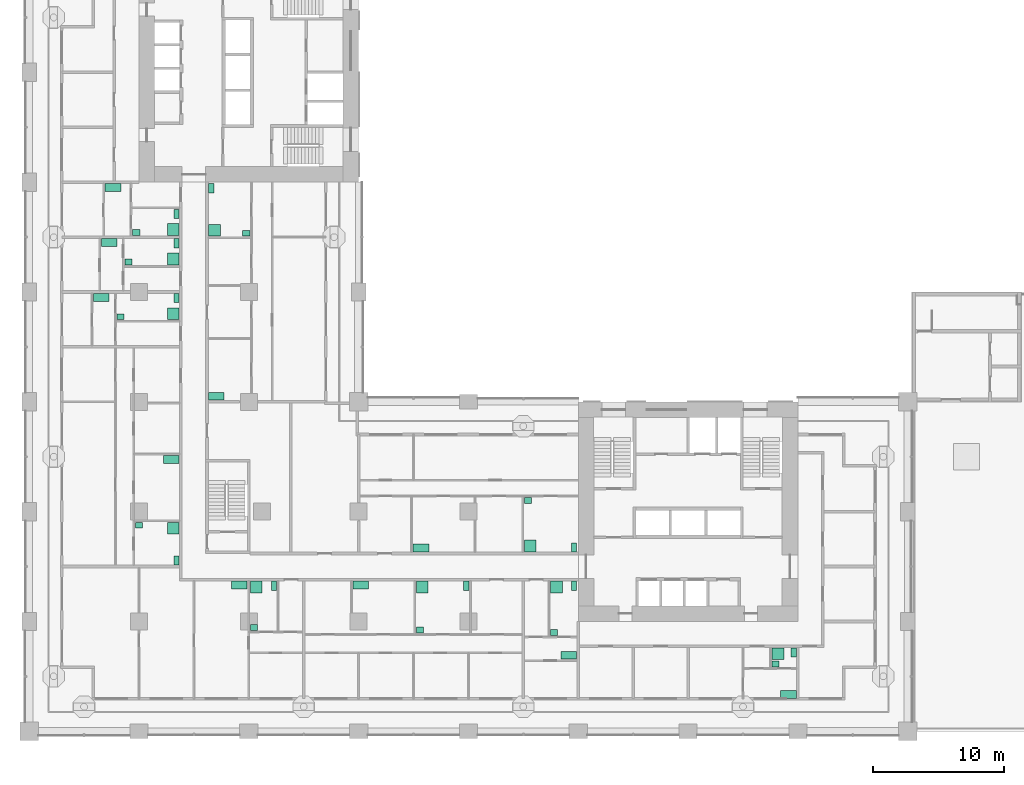
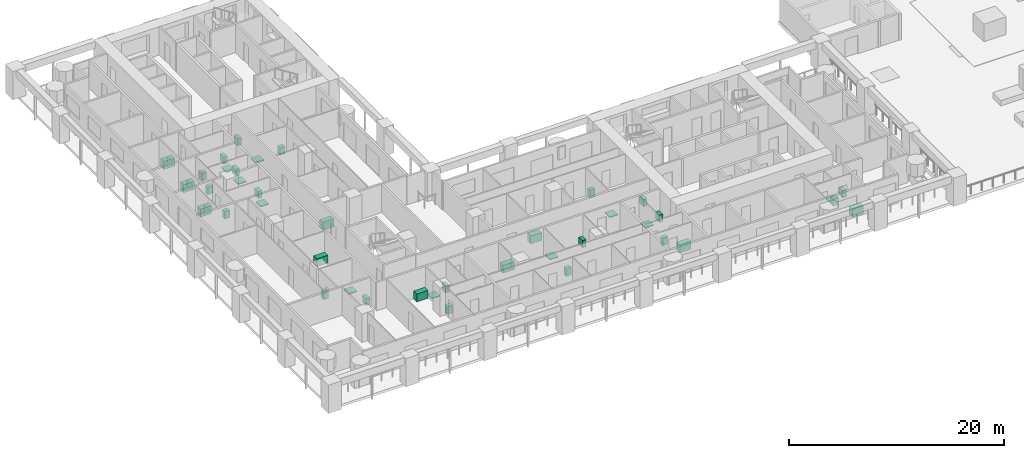
# One storey, part 21 of 23: 40 sanitary terminals.
"""IFC4 building model written with IfcOpenShell, lengths in metres."""

import ifcopenshell
import ifcopenshell.guid

model = None  # the IFC model being written
_history = None  # IfcOwnerHistory: only IFC2X3 demands one
_inside = {}  # id of a spatial element -> (the spatial element, [elements in it])
_under = {}  # id of a project, library or spatial element -> (it, [spatial elements below it])
_declared = {}  # id of a project -> (the project, [libraries it declares])
_typed = {}  # id of a type object -> (the type object, [elements of that type])
_made_of = {}  # id of a material, layer set ... -> (it, [elements and type objects made of it])


def new_model(schema):
    """Start an empty IFC model of exactly this schema.

    Asked for "IFC4X3", IfcOpenShell would pick the latest addendum, in which some entities
    have other attributes; the version numbers below select the first issue.
    IFC2X3 requires an IfcOwnerHistory on every rooted entity: one is made here for all.
    """
    global model, _history
    if schema == "IFC4X3":
        model = ifcopenshell.file(schema_version=(4, 3, 0, 0))
    else:
        model = ifcopenshell.file(schema=schema)
    _inside.clear()
    _under.clear()
    _declared.clear()
    _typed.clear()
    _made_of.clear()
    _history = None
    if model.schema == "IFC2X3":
        org = make("IfcOrganization", Name="unknown")
        user = make(
            "IfcPersonAndOrganization",
            ThePerson=make("IfcPerson", FamilyName="unknown"),
            TheOrganization=org,
        )
        app = make(
            "IfcApplication",
            ApplicationDeveloper=org,
            Version="unknown",
            ApplicationFullName="unknown",
            ApplicationIdentifier="unknown",
        )
        _history = make(
            "IfcOwnerHistory",
            OwningUser=user,
            OwningApplication=app,
            ChangeAction="ADDED",
            CreationDate=0,
        )
    return model


def make(cls, **values):
    """One entity of the class cls with the attributes given. An attribute that is None is left unset."""
    return model.create_entity(
        cls, **{name: value for name, value in values.items() if value is not None}
    )


def rooted(cls, **values):
    """An entity with a GlobalId (a new one), such as an element, a storey or a relation."""
    return make(cls, GlobalId=ifcopenshell.guid.new(), OwnerHistory=_history, **values)


def si_unit(unit_type, name, prefix=None):
    """IfcSIUnit, for example si_unit("LENGTHUNIT", "METRE", prefix="MILLI")."""
    return make("IfcSIUnit", UnitType=unit_type, Prefix=prefix, Name=name)


def assignment(units):
    """IfcUnitAssignment: the units of a project."""
    return None if units is None else make("IfcUnitAssignment", Units=units)


def point(xyz):
    """IfcCartesianPoint."""
    return None if xyz is None else make("IfcCartesianPoint", Coordinates=xyz)


def direction(xyz):
    """IfcDirection."""
    return None if xyz is None else make("IfcDirection", DirectionRatios=xyz)


def frame(location, z_axis=None, x_axis=None):
    """IfcAxis2Placement3D, a coordinate frame: its origin and axes. An axis left out is left unset."""
    return make(
        "IfcAxis2Placement3D",
        Location=point(location),
        Axis=direction(z_axis),
        RefDirection=direction(x_axis),
    )


def frame_2d(location, x_axis=None):
    """IfcAxis2Placement2D, a coordinate frame in the plane: its origin and x axis."""
    return make(
        "IfcAxis2Placement2D", Location=point(location), RefDirection=direction(x_axis)
    )


def origin():
    """The frame at (0, 0, 0) with its axes left unset."""
    return frame((0.0, 0.0, 0.0))


def origin_2d():
    """The frame at (0, 0) in the plane with its x axis left unset."""
    return frame_2d((0.0, 0.0))


def place(relative_to, where):
    """IfcLocalPlacement: puts the frame where relative to a parent placement (None: the world)."""
    return make(
        "IfcLocalPlacement", PlacementRelTo=relative_to, RelativePlacement=where
    )


def context(
    kind, dimensions, precision=None, world=None, true_north=None, identifier=None
):
    """IfcGeometricRepresentationContext, for example the 3D "Model" context."""
    return make(
        "IfcGeometricRepresentationContext",
        ContextIdentifier=identifier,
        ContextType=kind,
        CoordinateSpaceDimension=dimensions,
        Precision=precision,
        WorldCoordinateSystem=world,
        TrueNorth=true_north,
    )


def subcontext(parent, identifier, kind, view, scale=None):
    """IfcGeometricRepresentationSubContext, for example "Body" below "Model"."""
    return make(
        "IfcGeometricRepresentationSubContext",
        ContextIdentifier=identifier,
        ContextType=kind,
        ParentContext=parent,
        TargetScale=scale,
        TargetView=view,
    )


def project(units=None, contexts=None):
    """IfcProject with its units and contexts."""
    return rooted(
        "IfcProject",
        Name="project",
        RepresentationContexts=contexts,
        UnitsInContext=assignment(units),
    )


def spatial(cls, under=None, at=None, **own):
    """A site, building, storey or space (cls), placed at a placement, below another one or the project."""
    s = rooted(cls, ObjectPlacement=at, **own)
    if under is not None:
        _under.setdefault(under.id(), (under, []))[1].append(s)
    return s


def profile(cls, at=None, kind="AREA", **sizes):
    """A parametric profile (cls). Its sizes go by their IFC names, for example OverallWidth=200.0."""
    return make(cls, ProfileType=kind, Position=at, **sizes)


def rectangle(**sizes):
    """IfcRectangleProfileDef."""
    return profile("IfcRectangleProfileDef", **sizes)


def extrude(swept, where, along, depth):
    """IfcExtrudedAreaSolid: the profile swept, set in the frame where, extruded along a direction by depth."""
    return make(
        "IfcExtrudedAreaSolid",
        SweptArea=swept,
        Position=where,
        ExtrudedDirection=direction(along),
        Depth=depth,
    )


def shape(context_of_items, identifier, shape_type, items):
    """IfcShapeRepresentation: the items that make up one representation, for example the "Body"."""
    return make(
        "IfcShapeRepresentation",
        ContextOfItems=context_of_items,
        RepresentationIdentifier=identifier,
        RepresentationType=shape_type,
        Items=items,
    )


def material(Name=None, Category=None):
    """IfcMaterial."""
    return make("IfcMaterial", Name=Name, Category=Category)


def made_of(thing, what):
    """Note that an element or type object is made of a material, layer set ...; save() writes the relation."""
    if what is not None:
        _made_of.setdefault(what.id(), (what, []))[1].append(thing)
    return thing


def element(
    cls,
    number,
    at=None,
    inside=None,
    cuts=None,
    type_object=None,
    material=None,
    context=None,
    identifier="Body",
    shape_type=None,
    held_by="IfcProductDefinitionShape",
    body=None,
    shapes=None,
    **own,
):
    """One element of the class cls, such as IfcWall. Its Tag is "e" and its number.

    at: its placement. inside: the storey or other place that contains it. cuts: it is an
    opening in that element (IfcRelVoidsElement). A single representation is given by context,
    identifier, shape_type and body (its items); several are given by shapes. held_by: the class
    of the entity that holds the representations. save() writes the other relations.
    """
    e = rooted(cls, Tag="e%d" % number, ObjectPlacement=at, **own)
    if body is not None:
        shapes = [shape(context, identifier, shape_type, body)]
    if shapes is not None:
        e.Representation = make(held_by, Representations=shapes)
    if inside is not None:
        _inside.setdefault(inside.id(), (inside, []))[1].append(e)
    if cuts is not None:
        rooted(
            "IfcRelVoidsElement", RelatingBuildingElement=cuts, RelatedOpeningElement=e
        )
    if type_object is not None:
        _typed.setdefault(type_object.id(), (type_object, []))[1].append(e)
    return made_of(e, material)


def aggregate(whole, parts):
    """IfcRelAggregates: a whole, such as a stair, and the parts it consists of."""
    return rooted("IfcRelAggregates", RelatingObject=whole, RelatedObjects=parts)


def save(model, path):
    """Write the relations noted so far, then the file.

    IfcRelAggregates (storeys below a building ...), IfcRelContainedInSpatialStructure (elements
    in a storey), IfcRelDefinesByType, IfcRelAssociatesMaterial and IfcRelDeclares: one each for
    every whole, place, type object, material and project.
    """
    for whole, parts in _under.values():
        aggregate(whole, parts)
    for where, things in _inside.values():
        rooted(
            "IfcRelContainedInSpatialStructure",
            RelatedElements=things,
            RelatingStructure=where,
        )
    for kind, things in _typed.values():
        rooted("IfcRelDefinesByType", RelatedObjects=things, RelatingType=kind)
    for what, things in _made_of.values():
        rooted("IfcRelAssociatesMaterial", RelatedObjects=things, RelatingMaterial=what)
    for by, libraries in _declared.values():
        rooted("IfcRelDeclares", RelatingContext=by, RelatedDefinitions=libraries)
    model.write(path)


model = new_model("IFC4")

# Units and contexts
model_context = context("Model", 3, precision=1e-05, world=origin(), true_north=direction((0.0, 1.0)))
body_context = subcontext(model_context, "Body", "Model", "MODEL_VIEW")
ifc_project = project(units=[si_unit("LENGTHUNIT", "METRE"), si_unit("AREAUNIT", "SQUARE_METRE"), si_unit("VOLUMEUNIT", "CUBIC_METRE"), si_unit("PLANEANGLEUNIT", "RADIAN"), si_unit("MASSUNIT", "GRAM", prefix="KILO")], contexts=[model_context])

# Site, building, storey
site_placement = place(None, origin())
site = spatial("IfcSite", under=ifc_project, at=site_placement, CompositionType="ELEMENT")
building_placement = place(site_placement, origin())
building = spatial("IfcBuilding", under=site, at=building_placement, Name="Vermilion Gate Residences", CompositionType="ELEMENT")
storey_placement = place(building_placement, frame((0.0, 0.0, 25.199951171875)))
storey = spatial("IfcBuildingStorey", under=building, at=storey_placement, Name="L04", CompositionType="ELEMENT", Elevation=25.199951171875)

# Sanitary terminals
ifc_material_1 = material(Name="Stainless steel", Category="steel")
sanitary_terminal_1_placement = place(storey_placement, frame((16.080078125, 11.179931640625, 0.0), z_axis=(0.0, 0.0, 1.0), x_axis=(1.0, 0.0, 0.0)))
element("IfcSanitaryTerminal", 1, at=sanitary_terminal_1_placement, inside=storey, material=ifc_material_1, Name="Kitchen sink", PredefinedType="SINK", context=body_context, shape_type="SweptSolid", body=[
    extrude(rectangle(XDim=1.199951171875, YDim=0.60009765625, at=origin_2d()), origin(), (0.0, 0.0, 1.0), 0.89990234375),
])
ifc_material_2 = material(Name="Vitreous china")
sanitary_terminal_2_placement = place(storey_placement, frame((17.3701171875, 11.030029296875, 0.0), z_axis=(0.0, 0.0, 1.0), x_axis=(1.0, 0.0, 0.0)))
element("IfcSanitaryTerminal", 2, at=sanitary_terminal_2_placement, inside=storey, material=ifc_material_2, Name="Shower tray", PredefinedType="SHOWER", context=body_context, shape_type="SweptSolid", body=[
    extrude(rectangle(XDim=0.89990234375, YDim=0.89990234375, at=origin_2d()), origin(), (0.0, 0.0, 1.0), 0.10009765625),
])
sanitary_terminal_3_placement = place(storey_placement, frame((18.719970703125, 11.1298828125, 0.0), z_axis=(0.0, 0.0, 1.0), x_axis=(1.0, 0.0, 0.0)))
element("IfcSanitaryTerminal", 3, at=sanitary_terminal_3_placement, inside=storey, material=ifc_material_2, Name="Toilet", PredefinedType="TOILETPAN", context=body_context, shape_type="SweptSolid", body=[
    extrude(rectangle(XDim=0.39990234375, YDim=0.699951171875, at=origin_2d()), origin(), (0.0, 0.0, 1.0), 0.800048828125),
])
sanitary_terminal_4_placement = place(storey_placement, frame((17.195068359375, 7.945068359375, 0.0), z_axis=(0.0, 0.0, 1.0), x_axis=(1.0, 0.0, 0.0)))
element("IfcSanitaryTerminal", 4, at=sanitary_terminal_4_placement, inside=storey, material=ifc_material_2, Name="Wash basin", PredefinedType="WASHHANDBASIN", context=body_context, shape_type="SweptSolid", body=[
    extrude(rectangle(XDim=0.550048828125, YDim=0.449951171875, at=origin_2d()), origin(), (0.0, 0.0, 1.0), 0.85009765625),
])
sanitary_terminal_5_placement = place(storey_placement, frame((25.3701171875, 11.179931640625, 0.0), z_axis=(0.0, 0.0, 1.0), x_axis=(1.0, 0.0, 0.0)))
element("IfcSanitaryTerminal", 5, at=sanitary_terminal_5_placement, inside=storey, material=ifc_material_1, Name="Kitchen sink", PredefinedType="SINK", context=body_context, shape_type="SweptSolid", body=[
    extrude(rectangle(XDim=1.199951171875, YDim=0.60009765625, at=origin_2d()), origin(), (0.0, 0.0, 1.0), 0.89990234375),
])
sanitary_terminal_6_placement = place(storey_placement, frame((30.070068359375, 11.030029296875, 0.0), z_axis=(0.0, 0.0, 1.0), x_axis=(1.0, 0.0, 0.0)))
element("IfcSanitaryTerminal", 6, at=sanitary_terminal_6_placement, inside=storey, material=ifc_material_2, Name="Shower tray", PredefinedType="SHOWER", context=body_context, shape_type="SweptSolid", body=[
    extrude(rectangle(XDim=0.89990234375, YDim=0.89990234375, at=origin_2d()), origin(), (0.0, 0.0, 1.0), 0.10009765625),
])
sanitary_terminal_7_placement = place(storey_placement, frame((33.429931640625, 11.1298828125, 0.0), z_axis=(0.0, 0.0, 1.0), x_axis=(1.0, 0.0, 0.0)))
element("IfcSanitaryTerminal", 7, at=sanitary_terminal_7_placement, inside=storey, material=ifc_material_2, Name="Toilet", PredefinedType="TOILETPAN", context=body_context, shape_type="SweptSolid", body=[
    extrude(rectangle(XDim=0.39990234375, YDim=0.699951171875, at=origin_2d()), origin(), (0.0, 0.0, 1.0), 0.800048828125),
])
sanitary_terminal_8_placement = place(storey_placement, frame((29.89501953125, 7.7451171875, 0.0), z_axis=(0.0, 0.0, 1.0), x_axis=(1.0, 0.0, 0.0)))
element("IfcSanitaryTerminal", 8, at=sanitary_terminal_8_placement, inside=storey, material=ifc_material_2, Name="Wash basin", PredefinedType="WASHHANDBASIN", context=body_context, shape_type="SweptSolid", body=[
    extrude(rectangle(XDim=0.550048828125, YDim=0.449951171875, at=origin_2d()), origin(), (0.0, 0.0, 1.0), 0.85009765625),
])
sanitary_terminal_9_placement = place(storey_placement, frame((41.280029296875, 5.820068359375, 0.0), z_axis=(0.0, 0.0, 1.0), x_axis=(1.0, 0.0, 0.0)))
element("IfcSanitaryTerminal", 9, at=sanitary_terminal_9_placement, inside=storey, material=ifc_material_1, Name="Kitchen sink", PredefinedType="SINK", context=body_context, shape_type="SweptSolid", body=[
    extrude(rectangle(XDim=1.199951171875, YDim=0.60009765625, at=origin_2d()), origin(), (0.0, 0.0, 1.0), 0.89990234375),
])
sanitary_terminal_10_placement = place(storey_placement, frame((40.330078125, 11.030029296875, 0.0), z_axis=(0.0, 0.0, 1.0), x_axis=(1.0, 0.0, 0.0)))
element("IfcSanitaryTerminal", 10, at=sanitary_terminal_10_placement, inside=storey, material=ifc_material_2, Name="Shower tray", PredefinedType="SHOWER", context=body_context, shape_type="SweptSolid", body=[
    extrude(rectangle(XDim=0.89990234375, YDim=0.89990234375, at=origin_2d()), origin(), (0.0, 0.0, 1.0), 0.10009765625),
])
sanitary_terminal_11_placement = place(storey_placement, frame((41.679931640625, 11.1298828125, 0.0), z_axis=(0.0, 0.0, 1.0), x_axis=(1.0, 0.0, 0.0)))
element("IfcSanitaryTerminal", 11, at=sanitary_terminal_11_placement, inside=storey, material=ifc_material_2, Name="Toilet", PredefinedType="TOILETPAN", context=body_context, shape_type="SweptSolid", body=[
    extrude(rectangle(XDim=0.39990234375, YDim=0.699951171875, at=origin_2d()), origin(), (0.0, 0.0, 1.0), 0.800048828125),
])
sanitary_terminal_12_placement = place(storey_placement, frame((40.155029296875, 7.544921875, 0.0), z_axis=(0.0, 0.0, 1.0), x_axis=(1.0, 0.0, 0.0)))
element("IfcSanitaryTerminal", 12, at=sanitary_terminal_12_placement, inside=storey, material=ifc_material_2, Name="Wash basin", PredefinedType="WASHHANDBASIN", context=body_context, shape_type="SweptSolid", body=[
    extrude(rectangle(XDim=0.550048828125, YDim=0.449951171875, at=origin_2d()), origin(), (0.0, 0.0, 1.0), 0.85009765625),
])
sanitary_terminal_13_placement = place(storey_placement, frame((29.969970703125, 14.02001953125, 0.0), z_axis=(0.0, 0.0, 1.0), x_axis=(1.0, 0.0, 0.0)))
element("IfcSanitaryTerminal", 13, at=sanitary_terminal_13_placement, inside=storey, material=ifc_material_1, Name="Kitchen sink", PredefinedType="SINK", context=body_context, shape_type="SweptSolid", body=[
    extrude(rectangle(XDim=1.199951171875, YDim=0.60009765625, at=origin_2d()), origin(), (0.0, 0.0, 1.0), 0.89990234375),
])
sanitary_terminal_14_placement = place(storey_placement, frame((38.320068359375, 14.169921875, 0.0), z_axis=(0.0, 0.0, 1.0), x_axis=(1.0, 0.0, 0.0)))
element("IfcSanitaryTerminal", 14, at=sanitary_terminal_14_placement, inside=storey, material=ifc_material_2, Name="Shower tray", PredefinedType="SHOWER", context=body_context, shape_type="SweptSolid", body=[
    extrude(rectangle(XDim=0.89990234375, YDim=0.89990234375, at=origin_2d()), origin(), (0.0, 0.0, 1.0), 0.10009765625),
])
sanitary_terminal_15_placement = place(storey_placement, frame((41.679931640625, 14.070068359375, 0.0), z_axis=(0.0, 0.0, 1.0), x_axis=(1.0, 0.0, 0.0)))
element("IfcSanitaryTerminal", 15, at=sanitary_terminal_15_placement, inside=storey, material=ifc_material_2, Name="Toilet", PredefinedType="TOILETPAN", context=body_context, shape_type="SweptSolid", body=[
    extrude(rectangle(XDim=0.39990234375, YDim=0.699951171875, at=origin_2d()), origin(), (0.0, 0.0, 1.0), 0.800048828125),
])
sanitary_terminal_16_placement = place(storey_placement, frame((38.14501953125, 17.655029296875, 0.0), z_axis=(0.0, 0.0, 1.0), x_axis=(1.0, 0.0, 0.0)))
element("IfcSanitaryTerminal", 16, at=sanitary_terminal_16_placement, inside=storey, material=ifc_material_2, Name="Wash basin", PredefinedType="WASHHANDBASIN", context=body_context, shape_type="SweptSolid", body=[
    extrude(rectangle(XDim=0.550048828125, YDim=0.449951171875, at=origin_2d()), origin(), (0.0, 0.0, 1.0), 0.85009765625),
])
sanitary_terminal_17_placement = place(storey_placement, frame((11.030029296875, 15.530029296875, 0.0), z_axis=(0.0, 0.0, 1.0), x_axis=(1.0, 0.0, 0.0)))
element("IfcSanitaryTerminal", 17, at=sanitary_terminal_17_placement, inside=storey, material=ifc_material_2, Name="Shower tray", PredefinedType="SHOWER", context=body_context, shape_type="SweptSolid", body=[
    extrude(rectangle(XDim=0.89990234375, YDim=0.89990234375, at=origin_2d()), origin(), (0.0, 0.0, 1.0), 0.10009765625),
])
sanitary_terminal_18_placement = place(storey_placement, frame((11.280029296875, 13.070068359375, 0.0), z_axis=(0.0, 0.0, 1.0), x_axis=(1.0, 0.0, 0.0)))
element("IfcSanitaryTerminal", 18, at=sanitary_terminal_18_placement, inside=storey, material=ifc_material_2, Name="Toilet", PredefinedType="TOILETPAN", context=body_context, shape_type="SweptSolid", body=[
    extrude(rectangle(XDim=0.39990234375, YDim=0.699951171875, at=origin_2d()), origin(), (0.0, 0.0, 1.0), 0.800048828125),
])
sanitary_terminal_19_placement = place(storey_placement, frame((8.39501953125, 15.7548828125, 0.0), z_axis=(0.0, 0.0, 1.0), x_axis=(1.0, 0.0, 0.0)))
element("IfcSanitaryTerminal", 19, at=sanitary_terminal_19_placement, inside=storey, material=ifc_material_2, Name="Wash basin", PredefinedType="WASHHANDBASIN", context=body_context, shape_type="SweptSolid", body=[
    extrude(rectangle(XDim=0.550048828125, YDim=0.449951171875, at=origin_2d()), origin(), (0.0, 0.0, 1.0), 0.85009765625),
])
for number, where, z_axis, x_axis, name in (
    (20, (10.8798828125, 20.780029296875, 0.0), (0.0, 0.0, 1.0), (1.0, 0.0, 0.0), "Kitchen sink"),
    (21, (5.52001953125, 33.179931640625, 0.0), (0.0, 0.0, 1.0), (1.0, 0.0, 0.0), "Kitchen sink"),
):
    element("IfcSanitaryTerminal", number, at=place(storey_placement, frame(where, z_axis=z_axis, x_axis=x_axis)), inside=storey, material=ifc_material_1, Name=name, PredefinedType="SINK", context=body_context, shape_type="SweptSolid", body=[
        extrude(rectangle(XDim=1.199951171875, YDim=0.60009765625, at=origin_2d()), origin(), (0.0, 0.0, 1.0), 0.89990234375),
    ])
sanitary_terminal_20_placement = place(storey_placement, frame((11.030029296875, 31.929931640625, 0.0), z_axis=(0.0, 0.0, 1.0), x_axis=(1.0, 0.0, 0.0)))
element("IfcSanitaryTerminal", 22, at=sanitary_terminal_20_placement, inside=storey, material=ifc_material_2, Name="Shower tray", PredefinedType="SHOWER", context=body_context, shape_type="SweptSolid", body=[
    extrude(rectangle(XDim=0.89990234375, YDim=0.89990234375, at=origin_2d()), origin(), (0.0, 0.0, 1.0), 0.10009765625),
])
sanitary_terminal_21_placement = place(storey_placement, frame((11.280029296875, 33.1298828125, 0.0), z_axis=(0.0, 0.0, 1.0), x_axis=(1.0, 0.0, 0.0)))
element("IfcSanitaryTerminal", 23, at=sanitary_terminal_21_placement, inside=storey, material=ifc_material_2, Name="Toilet", PredefinedType="TOILETPAN", context=body_context, shape_type="SweptSolid", body=[
    extrude(rectangle(XDim=0.39990234375, YDim=0.699951171875, at=origin_2d()), origin(), (0.0, 0.0, 1.0), 0.800048828125),
])
sanitary_terminal_22_placement = place(storey_placement, frame((6.9951171875, 31.705078125, 0.0), z_axis=(0.0, 0.0, 1.0), x_axis=(1.0, 0.0, 0.0)))
element("IfcSanitaryTerminal", 24, at=sanitary_terminal_22_placement, inside=storey, material=ifc_material_2, Name="Wash basin", PredefinedType="WASHHANDBASIN", context=body_context, shape_type="SweptSolid", body=[
    extrude(rectangle(XDim=0.550048828125, YDim=0.449951171875, at=origin_2d()), origin(), (0.0, 0.0, 1.0), 0.85009765625),
])
sanitary_terminal_23_placement = place(storey_placement, frame((6.1201171875, 37.3798828125, 0.0), z_axis=(0.0, 0.0, 1.0), x_axis=(1.0, 0.0, 0.0)))
element("IfcSanitaryTerminal", 25, at=sanitary_terminal_23_placement, inside=storey, material=ifc_material_1, Name="Kitchen sink", PredefinedType="SINK", context=body_context, shape_type="SweptSolid", body=[
    extrude(rectangle(XDim=1.199951171875, YDim=0.60009765625, at=origin_2d()), origin(), (0.0, 0.0, 1.0), 0.89990234375),
])
sanitary_terminal_24_placement = place(storey_placement, frame((11.030029296875, 36.1298828125, 0.0), z_axis=(0.0, 0.0, 1.0), x_axis=(1.0, 0.0, 0.0)))
element("IfcSanitaryTerminal", 26, at=sanitary_terminal_24_placement, inside=storey, material=ifc_material_2, Name="Shower tray", PredefinedType="SHOWER", context=body_context, shape_type="SweptSolid", body=[
    extrude(rectangle(XDim=0.89990234375, YDim=0.89990234375, at=origin_2d()), origin(), (0.0, 0.0, 1.0), 0.10009765625),
])
sanitary_terminal_25_placement = place(storey_placement, frame((11.280029296875, 37.330078125, 0.0), z_axis=(0.0, 0.0, 1.0), x_axis=(1.0, 0.0, 0.0)))
element("IfcSanitaryTerminal", 27, at=sanitary_terminal_25_placement, inside=storey, material=ifc_material_2, Name="Toilet", PredefinedType="TOILETPAN", context=body_context, shape_type="SweptSolid", body=[
    extrude(rectangle(XDim=0.39990234375, YDim=0.699951171875, at=origin_2d()), origin(), (0.0, 0.0, 1.0), 0.800048828125),
])
sanitary_terminal_26_placement = place(storey_placement, frame((7.594970703125, 35.905029296875, 0.0), z_axis=(0.0, 0.0, 1.0), x_axis=(1.0, 0.0, 0.0)))
element("IfcSanitaryTerminal", 28, at=sanitary_terminal_26_placement, inside=storey, material=ifc_material_2, Name="Wash basin", PredefinedType="WASHHANDBASIN", context=body_context, shape_type="SweptSolid", body=[
    extrude(rectangle(XDim=0.550048828125, YDim=0.449951171875, at=origin_2d()), origin(), (0.0, 0.0, 1.0), 0.85009765625),
])
sanitary_terminal_27_placement = place(storey_placement, frame((6.419921875, 41.580078125, 0.0), z_axis=(0.0, 0.0, 1.0), x_axis=(1.0, 0.0, 0.0)))
element("IfcSanitaryTerminal", 29, at=sanitary_terminal_27_placement, inside=storey, material=ifc_material_1, Name="Kitchen sink", PredefinedType="SINK", context=body_context, shape_type="SweptSolid", body=[
    extrude(rectangle(XDim=1.199951171875, YDim=0.60009765625, at=origin_2d()), origin(), (0.0, 0.0, 1.0), 0.89990234375),
])
sanitary_terminal_28_placement = place(storey_placement, frame((11.030029296875, 38.3701171875, 0.0), z_axis=(0.0, 0.0, 1.0), x_axis=(1.0, 0.0, 0.0)))
element("IfcSanitaryTerminal", 30, at=sanitary_terminal_28_placement, inside=storey, material=ifc_material_2, Name="Shower tray", PredefinedType="SHOWER", context=body_context, shape_type="SweptSolid", body=[
    extrude(rectangle(XDim=0.89990234375, YDim=0.89990234375, at=origin_2d()), origin(), (0.0, 0.0, 1.0), 0.10009765625),
])
sanitary_terminal_29_placement = place(storey_placement, frame((11.280029296875, 39.570068359375, 0.0), z_axis=(0.0, 0.0, 1.0), x_axis=(1.0, 0.0, 0.0)))
element("IfcSanitaryTerminal", 31, at=sanitary_terminal_29_placement, inside=storey, material=ifc_material_2, Name="Toilet", PredefinedType="TOILETPAN", context=body_context, shape_type="SweptSolid", body=[
    extrude(rectangle(XDim=0.39990234375, YDim=0.699951171875, at=origin_2d()), origin(), (0.0, 0.0, 1.0), 0.800048828125),
])
sanitary_terminal_30_placement = place(storey_placement, frame((8.195068359375, 38.14501953125, 0.0), z_axis=(0.0, 0.0, 1.0), x_axis=(1.0, 0.0, 0.0)))
element("IfcSanitaryTerminal", 32, at=sanitary_terminal_30_placement, inside=storey, material=ifc_material_2, Name="Wash basin", PredefinedType="WASHHANDBASIN", context=body_context, shape_type="SweptSolid", body=[
    extrude(rectangle(XDim=0.550048828125, YDim=0.449951171875, at=origin_2d()), origin(), (0.0, 0.0, 1.0), 0.85009765625),
])
sanitary_terminal_31_placement = place(storey_placement, frame((14.320068359375, 25.6201171875, 0.0), z_axis=(0.0, 0.0, 1.0), x_axis=(1.0, 0.0, 0.0)))
element("IfcSanitaryTerminal", 33, at=sanitary_terminal_31_placement, inside=storey, material=ifc_material_1, Name="Kitchen sink", PredefinedType="SINK", context=body_context, shape_type="SweptSolid", body=[
    extrude(rectangle(XDim=1.199951171875, YDim=0.60009765625, at=origin_2d()), origin(), (0.0, 0.0, 1.0), 0.89990234375),
])
sanitary_terminal_32_placement = place(storey_placement, frame((14.169921875, 38.320068359375, 0.0), z_axis=(0.0, 0.0, 1.0), x_axis=(1.0, 0.0, 0.0)))
element("IfcSanitaryTerminal", 34, at=sanitary_terminal_32_placement, inside=storey, material=ifc_material_2, Name="Shower tray", PredefinedType="SHOWER", context=body_context, shape_type="SweptSolid", body=[
    extrude(rectangle(XDim=0.89990234375, YDim=0.89990234375, at=origin_2d()), origin(), (0.0, 0.0, 1.0), 0.10009765625),
])
sanitary_terminal_33_placement = place(storey_placement, frame((13.919921875, 41.530029296875, 0.0), z_axis=(0.0, 0.0, 1.0), x_axis=(1.0, 0.0, 0.0)))
element("IfcSanitaryTerminal", 35, at=sanitary_terminal_33_placement, inside=storey, material=ifc_material_2, Name="Toilet", PredefinedType="TOILETPAN", context=body_context, shape_type="SweptSolid", body=[
    extrude(rectangle(XDim=0.39990234375, YDim=0.699951171875, at=origin_2d()), origin(), (0.0, 0.0, 1.0), 0.800048828125),
])
sanitary_terminal_34_placement = place(storey_placement, frame((16.60498046875, 38.094970703125, 0.0), z_axis=(0.0, 0.0, 1.0), x_axis=(1.0, 0.0, 0.0)))
element("IfcSanitaryTerminal", 36, at=sanitary_terminal_34_placement, inside=storey, material=ifc_material_2, Name="Wash basin", PredefinedType="WASHHANDBASIN", context=body_context, shape_type="SweptSolid", body=[
    extrude(rectangle(XDim=0.550048828125, YDim=0.449951171875, at=origin_2d()), origin(), (0.0, 0.0, 1.0), 0.85009765625),
])
sanitary_terminal_35_placement = place(storey_placement, frame((58.080078125, 2.820068359375, 0.0), z_axis=(0.0, 0.0, 1.0), x_axis=(1.0, 0.0, 0.0)))
element("IfcSanitaryTerminal", 37, at=sanitary_terminal_35_placement, inside=storey, material=ifc_material_1, Name="Kitchen sink", PredefinedType="SINK", context=body_context, shape_type="SweptSolid", body=[
    extrude(rectangle(XDim=1.199951171875, YDim=0.60009765625, at=origin_2d()), origin(), (0.0, 0.0, 1.0), 0.89990234375),
])
sanitary_terminal_36_placement = place(storey_placement, frame((57.27001953125, 5.929931640625, 0.0), z_axis=(0.0, 0.0, 1.0), x_axis=(1.0, 0.0, 0.0)))
element("IfcSanitaryTerminal", 38, at=sanitary_terminal_36_placement, inside=storey, material=ifc_material_2, Name="Shower tray", PredefinedType="SHOWER", context=body_context, shape_type="SweptSolid", body=[
    extrude(rectangle(XDim=0.89990234375, YDim=0.89990234375, at=origin_2d()), origin(), (0.0, 0.0, 1.0), 0.10009765625),
])
sanitary_terminal_37_placement = place(storey_placement, frame((58.47998046875, 6.030029296875, 0.0), z_axis=(0.0, 0.0, 1.0), x_axis=(1.0, 0.0, 0.0)))
element("IfcSanitaryTerminal", 39, at=sanitary_terminal_37_placement, inside=storey, material=ifc_material_2, Name="Toilet", PredefinedType="TOILETPAN", context=body_context, shape_type="SweptSolid", body=[
    extrude(rectangle(XDim=0.39990234375, YDim=0.699951171875, at=origin_2d()), origin(), (0.0, 0.0, 1.0), 0.800048828125),
])
sanitary_terminal_38_placement = place(storey_placement, frame((57.094970703125, 5.14501953125, 0.0), z_axis=(0.0, 0.0, 1.0), x_axis=(1.0, 0.0, 0.0)))
element("IfcSanitaryTerminal", 40, at=sanitary_terminal_38_placement, inside=storey, material=ifc_material_2, Name="Wash basin", PredefinedType="WASHHANDBASIN", context=body_context, shape_type="SweptSolid", body=[
    extrude(rectangle(XDim=0.550048828125, YDim=0.449951171875, at=origin_2d()), origin(), (0.0, 0.0, 1.0), 0.85009765625),
])

save(model, "model.ifc")
